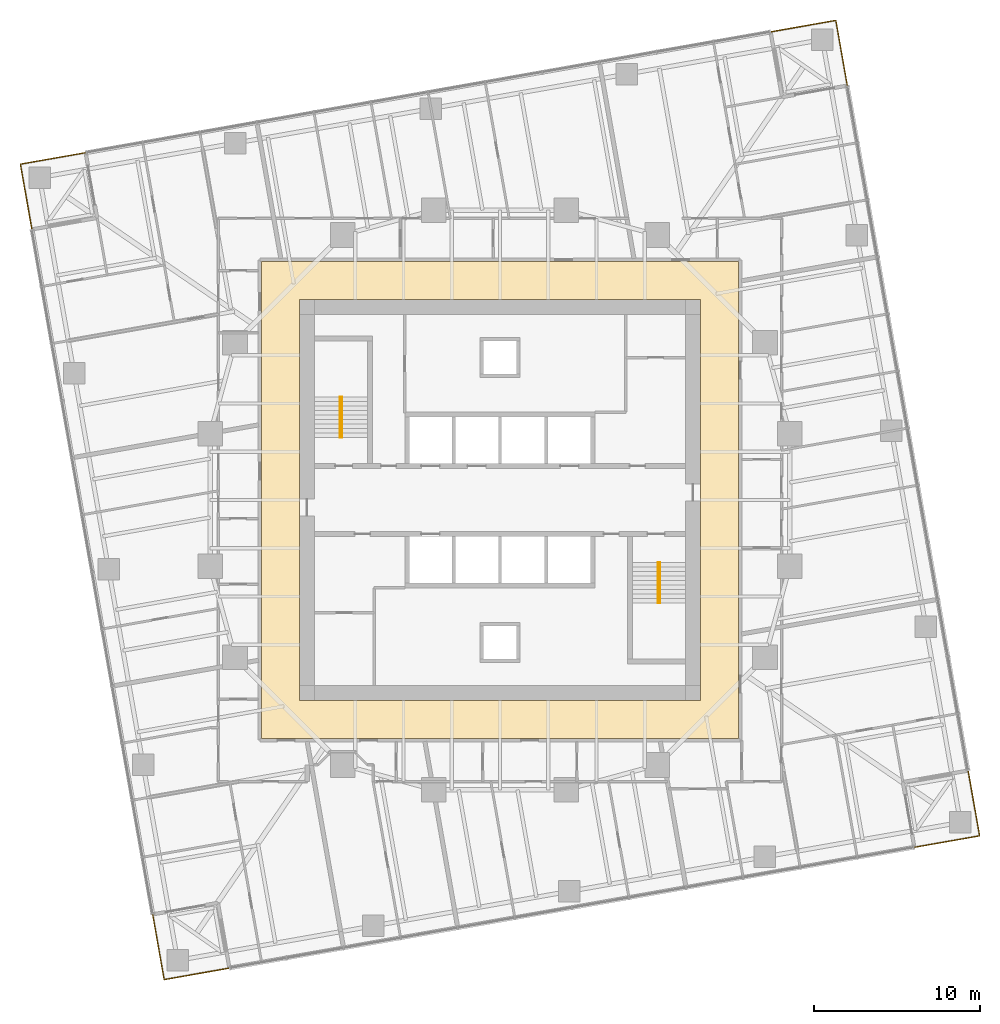
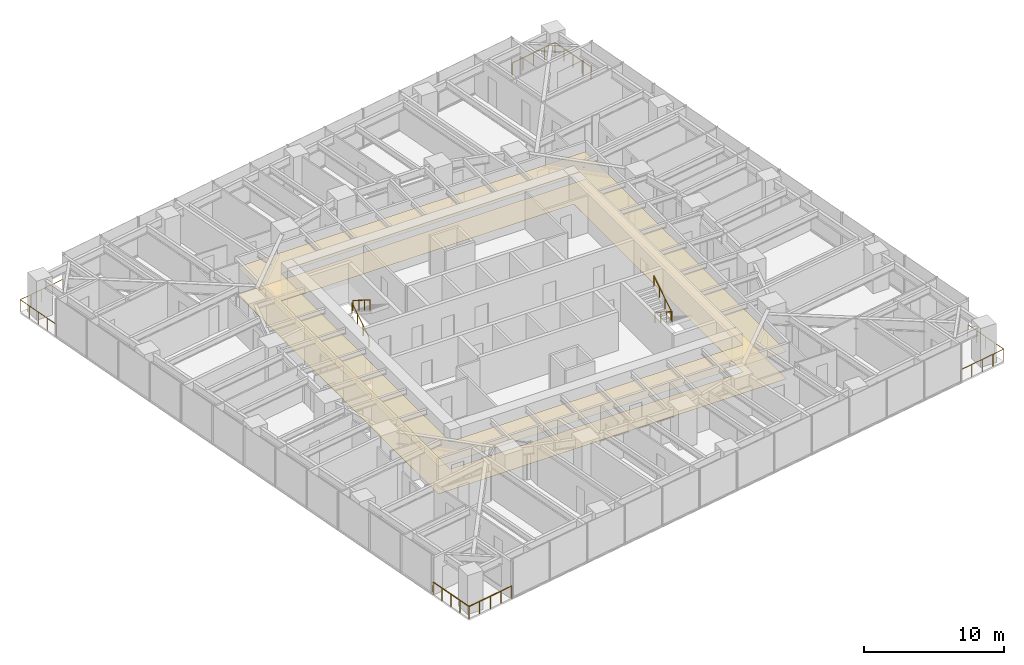
# One storey, part 14 of 14: 8 railings, 2 coverings, 2 elements without a shape of their own.
"""IFC4 building model written with IfcOpenShell, lengths in metres."""

from ifc_helpers import new_model, si_unit, direction, frame, origin, origin_2d, place, context, subcontext, project, spatial, polyline, circle, outline, extrude, material, layer, layer_set, type_object, element, aggregate, save


model = new_model("IFC4")

# Units and contexts
model_context = context("Model", 3, precision=1e-05, world=origin(), true_north=direction((0.0, 1.0)))
body_context = subcontext(model_context, "Body", "Model", "MODEL_VIEW")
ifc_project = project(units=[si_unit("LENGTHUNIT", "METRE"), si_unit("AREAUNIT", "SQUARE_METRE"), si_unit("VOLUMEUNIT", "CUBIC_METRE"), si_unit("PLANEANGLEUNIT", "RADIAN"), si_unit("MASSUNIT", "GRAM", prefix="KILO")], contexts=[model_context])

# Site, building, storey
site_placement = place(None, origin())
site = spatial("IfcSite", under=ifc_project, at=site_placement, CompositionType="ELEMENT")
building_placement = place(site_placement, origin())
building = spatial("IfcBuilding", under=site, at=building_placement, Name="Torsade Residences", CompositionType="ELEMENT")
storey_placement = place(building_placement, frame((0.0, 0.0, 82.800048828125)))
storey = spatial("IfcBuildingStorey", under=building, at=storey_placement, Name="L22", CompositionType="ELEMENT", Elevation=82.800048828125)

# Coverings
ifc_material_1 = material(Name="Nylon carpet tile on underlay", Category="textile")
ifc_layer_1 = layer(ifc_material_1, 0.010009765625)
ifc_layer_set_1 = layer_set([ifc_layer_1], Name="Nylon carpet tile on underlay")
covering_type_1 = type_object("IfcCoveringType", Name="CORRIDOR CARPET TILE 10", PredefinedType="FLOORING", material=ifc_layer_set_1)
covering_1_placement = place(storey_placement, origin())
element("IfcCovering", 1, at=covering_1_placement, inside=storey, type_object=covering_type_1, Name="Corridor carpet L22", PredefinedType="FLOORING", context=body_context, shape_type="SweptSolid", body=[
    extrude(outline(polyline([(54.39990234375, 15.60009765625), (54.39990234375, 44.39990234375), (25.60009765625, 44.39990234375), (25.60009765625, 15.60009765625), (54.39990234375, 15.60009765625)]), holes=[polyline([(52.10009765625, 42.10009765625), (27.89990234375, 42.10009765625), (27.89990234375, 17.89990234375), (52.10009765625, 17.89990234375), (52.10009765625, 42.10009765625)])]), origin(), (0.0, 0.0, 1.0), 0.010009765625),
])
ifc_material_2 = material(Name="Plasterboard on suspended steel grid", Category="steel")
ifc_layer_2 = layer(ifc_material_2, 0.012939453125)
ifc_layer_set_2 = layer_set([ifc_layer_2], Name="Plasterboard on suspended steel grid")
covering_type_2 = type_object("IfcCoveringType", Name="CORRIDOR SUSPENDED CEILING 13", PredefinedType="CEILING", material=ifc_layer_set_2)
covering_2_placement = place(storey_placement, frame((0.0, 0.0, 2.39990234375)))
element("IfcCovering", 2, at=covering_2_placement, inside=storey, type_object=covering_type_2, Name="Corridor ceiling L22", PredefinedType="CEILING", context=body_context, shape_type="SweptSolid", body=[
    extrude(outline(polyline([(54.39990234375, 15.60009765625), (54.39990234375, 44.39990234375), (25.60009765625, 44.39990234375), (25.60009765625, 15.60009765625), (54.39990234375, 15.60009765625)]), holes=[polyline([(52.10009765625, 42.10009765625), (27.89990234375, 42.10009765625), (27.89990234375, 17.89990234375), (52.10009765625, 17.89990234375), (52.10009765625, 42.10009765625)])]), origin(), (0.0, 0.0, 1.0), 0.012939453125),
])

# Stair, railings
ifc_material_3 = material(Name="Precast concrete 40 MPa", Category="concrete")
stair_type = type_object("IfcStairType", Name="HALF-TURN FIRE STAIR 1500x3400", PredefinedType="HALF_TURN_STAIR", material=ifc_material_3)
stair_1_placement = place(storey_placement, origin())
stair_1 = element("IfcStair", 3, at=stair_1_placement, inside=storey, type_object=stair_type, Name="Stair ST1 L22", PredefinedType="HALF_TURN_STAIR")
ifc_material_4 = material(Name="Steel handrail", Category="steel")
railing_type_1 = type_object("IfcRailingType", Name="STAIR HANDRAIL 900", PredefinedType="HANDRAIL", material=ifc_material_4)
railing_1_placement = place(storey_placement, frame((30.35009765625, 33.780029296875, 0.169921875)))
railing_1 = element("IfcRailing", 4, at=railing_1_placement, type_object=railing_type_1, Name="Handrail ST1 flight 1 L22", PredefinedType="HANDRAIL", context=body_context, shape_type="SweptSolid", body=[
    extrude(circle(Radius=0.02392578125, at=origin_2d()), frame((0.0, 0.0, 0.8759765625), z_axis=(0.0, 0.846221481393, 0.532831309544), x_axis=(-1.0, 0.0, 0.0)), (0.0, 0.0, 1.0), 2.87158203125),
    extrude(circle(Radius=0.02099609375, at=origin_2d()), origin(), (0.0, 0.0, 1.0), 0.851806640625),
    extrude(circle(Radius=0.02099609375, at=origin_2d()), frame((0.0, 0.81005859375, 0.510009765625)), (0.0, 0.0, 1.0), 0.851806640625),
    extrude(circle(Radius=0.02099609375, at=origin_2d()), frame((0.0, 1.619873046875, 1.02001953125)), (0.0, 0.0, 1.0), 0.851806640625),
    extrude(circle(Radius=0.02099609375, at=origin_2d()), frame((0.0, 2.429931640625, 1.530029296875)), (0.0, 0.0, 1.0), 0.851806640625),
])
railing_2_placement = place(storey_placement, frame((30.449951171875, 36.2099609375, 1.869873046875)))
railing_2 = element("IfcRailing", 5, at=railing_2_placement, type_object=railing_type_1, Name="Handrail ST1 flight 2 L22", PredefinedType="HANDRAIL", context=body_context, shape_type="SweptSolid", body=[
    extrude(circle(Radius=0.02392578125, at=origin_2d()), frame((0.0, 0.0, 0.8759765625), z_axis=(0.0, -0.846221481393, 0.532831309544), x_axis=(1.0, 0.0, 0.0)), (0.0, 0.0, 1.0), 2.87158203125),
    extrude(circle(Radius=0.02099609375, at=origin_2d()), origin(), (0.0, 0.0, 1.0), 0.851806640625),
    extrude(circle(Radius=0.02099609375, at=origin_2d()), frame((0.0, -0.81005859375, 0.510009765625)), (0.0, 0.0, 1.0), 0.851806640625),
    extrude(circle(Radius=0.02099609375, at=origin_2d()), frame((0.0, -1.619873046875, 1.02001953125)), (0.0, 0.0, 1.0), 0.851806640625),
    extrude(circle(Radius=0.02099609375, at=origin_2d()), frame((0.0, -2.429931640625, 1.530029296875)), (0.0, 0.0, 1.0), 0.851806640625),
])
aggregate(stair_1, [railing_1, railing_2])

stair_2_placement = place(storey_placement, origin())
stair_2 = element("IfcStair", 6, at=stair_2_placement, inside=storey, type_object=stair_type, Name="Stair ST2 L22", PredefinedType="HALF_TURN_STAIR")
railing_3_placement = place(storey_placement, frame((49.64990234375, 26.219970703125, 0.169921875)))
railing_3 = element("IfcRailing", 7, at=railing_3_placement, type_object=railing_type_1, Name="Handrail ST2 flight 1 L22", PredefinedType="HANDRAIL", context=body_context, shape_type="SweptSolid", body=[
    extrude(circle(Radius=0.02392578125, at=origin_2d()), frame((0.0, 0.0, 0.8759765625), z_axis=(0.0, -0.846221481393, 0.532831309544), x_axis=(1.0, 0.0, 0.0)), (0.0, 0.0, 1.0), 2.87158203125),
    extrude(circle(Radius=0.02099609375, at=origin_2d()), origin(), (0.0, 0.0, 1.0), 0.851806640625),
    extrude(circle(Radius=0.02099609375, at=origin_2d()), frame((0.0, -0.81005859375, 0.510009765625)), (0.0, 0.0, 1.0), 0.851806640625),
    extrude(circle(Radius=0.02099609375, at=origin_2d()), frame((0.0, -1.619873046875, 1.02001953125)), (0.0, 0.0, 1.0), 0.851806640625),
    extrude(circle(Radius=0.02099609375, at=origin_2d()), frame((0.0, -2.429931640625, 1.530029296875)), (0.0, 0.0, 1.0), 0.851806640625),
])
railing_4_placement = place(storey_placement, frame((49.550048828125, 23.7900390625, 1.869873046875)))
railing_4 = element("IfcRailing", 8, at=railing_4_placement, type_object=railing_type_1, Name="Handrail ST2 flight 2 L22", PredefinedType="HANDRAIL", context=body_context, shape_type="SweptSolid", body=[
    extrude(circle(Radius=0.02392578125, at=origin_2d()), frame((0.0, 0.0, 0.8759765625), z_axis=(0.0, 0.846221481393, 0.532831309544), x_axis=(-1.0, 0.0, 0.0)), (0.0, 0.0, 1.0), 2.87158203125),
    extrude(circle(Radius=0.02099609375, at=origin_2d()), origin(), (0.0, 0.0, 1.0), 0.851806640625),
    extrude(circle(Radius=0.02099609375, at=origin_2d()), frame((0.0, 0.81005859375, 0.510009765625)), (0.0, 0.0, 1.0), 0.851806640625),
    extrude(circle(Radius=0.02099609375, at=origin_2d()), frame((0.0, 1.619873046875, 1.02001953125)), (0.0, 0.0, 1.0), 0.851806640625),
    extrude(circle(Radius=0.02099609375, at=origin_2d()), frame((0.0, 2.429931640625, 1.530029296875)), (0.0, 0.0, 1.0), 0.851806640625),
])
aggregate(stair_2, [railing_3, railing_4])

# Railings
ifc_material_5 = material(Name="Laminated glass balustrade", Category="glass")
railing_type_2 = type_object("IfcRailingType", Name="TERRACE GLASS BALUSTRADE 1100", PredefinedType="BALUSTRADE", material=ifc_material_5)
railing_5_placement = place(storey_placement, frame((65.022216796875, 9.0263671875, 0.0)))
element("IfcRailing", 9, at=railing_5_placement, inside=storey, type_object=railing_type_2, Name="Terrace balustrade SE L22", PredefinedType="BALUSTRADE", context=body_context, shape_type="SweptSolid", body=[
    extrude(circle(Radius=0.02392578125, at=origin_2d()), frame((0.0, 0.0, 1.076171875), z_axis=(0.984808127031, 0.173646056486, 0.0), x_axis=(-0.173646056486, 0.984808127031, 0.0)), (0.0, 0.0, 1.0), 4.0),
    extrude(circle(Radius=0.02392578125, at=origin_2d()), frame((3.939208984375, 0.694580078125, 1.076171875), z_axis=(-0.173646056486, 0.984808127031, 0.0), x_axis=(-0.984808127031, -0.173646056486, 0.0)), (0.0, 0.0, 1.0), 4.0),
    extrude(circle(Radius=0.02099609375, at=origin_2d()), origin(), (0.0, 0.0, 1.0), 1.052001953125),
    extrude(circle(Radius=0.02099609375, at=origin_2d()), frame((0.98486328125, 0.173583984375, 0.0)), (0.0, 0.0, 1.0), 1.052001953125),
    extrude(circle(Radius=0.02099609375, at=origin_2d()), frame((1.9697265625, 0.34716796875, 0.0)), (0.0, 0.0, 1.0), 1.052001953125),
    extrude(circle(Radius=0.02099609375, at=origin_2d()), frame((2.954345703125, 0.52099609375, 0.0)), (0.0, 0.0, 1.0), 1.052001953125),
    extrude(circle(Radius=0.02099609375, at=origin_2d()), frame((3.939208984375, 0.694580078125, 0.0)), (0.0, 0.0, 1.0), 1.052001953125),
    extrude(circle(Radius=0.02099609375, at=origin_2d()), frame((3.765625, 1.679443359375, 0.0)), (0.0, 0.0, 1.0), 1.052001953125),
    extrude(circle(Radius=0.02099609375, at=origin_2d()), frame((3.591796875, 2.6640625, 0.0)), (0.0, 0.0, 1.0), 1.052001953125),
    extrude(circle(Radius=0.02099609375, at=origin_2d()), frame((3.418212890625, 3.64892578125, 0.0)), (0.0, 0.0, 1.0), 1.052001953125),
    extrude(circle(Radius=0.02099609375, at=origin_2d()), frame((3.24462890625, 4.6337890625, 0.0)), (0.0, 0.0, 1.0), 1.052001953125),
])
railing_6_placement = place(storey_placement, frame((60.9736328125, 55.022216796875, 0.0)))
element("IfcRailing", 10, at=railing_6_placement, inside=storey, type_object=railing_type_2, Name="Terrace balustrade NE L22", PredefinedType="BALUSTRADE", context=body_context, shape_type="SweptSolid", body=[
    extrude(circle(Radius=0.02392578125, at=origin_2d()), frame((0.0, 0.0, 1.076171875), z_axis=(-0.173646056486, 0.984808127031, 0.0), x_axis=(-0.984808127031, -0.173646056486, 0.0)), (0.0, 0.0, 1.0), 4.0),
    extrude(circle(Radius=0.02392578125, at=origin_2d()), frame((-0.694580078125, 3.939208984375, 1.076171875), z_axis=(-0.984808127031, -0.173646056486, 0.0), x_axis=(0.173646056486, -0.984808127031, 0.0)), (0.0, 0.0, 1.0), 4.0),
    extrude(circle(Radius=0.02099609375, at=origin_2d()), origin(), (0.0, 0.0, 1.0), 1.052001953125),
    extrude(circle(Radius=0.02099609375, at=origin_2d()), frame((-0.173583984375, 0.98486328125, 0.0)), (0.0, 0.0, 1.0), 1.052001953125),
    extrude(circle(Radius=0.02099609375, at=origin_2d()), frame((-0.34716796875, 1.9697265625, 0.0)), (0.0, 0.0, 1.0), 1.052001953125),
    extrude(circle(Radius=0.02099609375, at=origin_2d()), frame((-0.52099609375, 2.954345703125, 0.0)), (0.0, 0.0, 1.0), 1.052001953125),
    extrude(circle(Radius=0.02099609375, at=origin_2d()), frame((-0.694580078125, 3.939208984375, 0.0)), (0.0, 0.0, 1.0), 1.052001953125),
    extrude(circle(Radius=0.02099609375, at=origin_2d()), frame((-1.679443359375, 3.765625, 0.0)), (0.0, 0.0, 1.0), 1.052001953125),
    extrude(circle(Radius=0.02099609375, at=origin_2d()), frame((-2.6640625, 3.591796875, 0.0)), (0.0, 0.0, 1.0), 1.052001953125),
    extrude(circle(Radius=0.02099609375, at=origin_2d()), frame((-3.64892578125, 3.418212890625, 0.0)), (0.0, 0.0, 1.0), 1.052001953125),
    extrude(circle(Radius=0.02099609375, at=origin_2d()), frame((-4.6337890625, 3.24462890625, 0.0)), (0.0, 0.0, 1.0), 1.052001953125),
])
railing_7_placement = place(storey_placement, frame((14.977783203125, 50.9736328125, 0.0)))
element("IfcRailing", 11, at=railing_7_placement, inside=storey, type_object=railing_type_2, Name="Terrace balustrade NW L22", PredefinedType="BALUSTRADE", context=body_context, shape_type="SweptSolid", body=[
    extrude(circle(Radius=0.02392578125, at=origin_2d()), frame((0.0, 0.0, 1.076171875), z_axis=(-0.984808127031, -0.173646056486, 0.0), x_axis=(0.173646056486, -0.984808127031, 0.0)), (0.0, 0.0, 1.0), 4.0),
    extrude(circle(Radius=0.02392578125, at=origin_2d()), frame((-3.939208984375, -0.694580078125, 1.076171875), z_axis=(0.173646056486, -0.984808127031, 0.0), x_axis=(0.984808127031, 0.173646056486, 0.0)), (0.0, 0.0, 1.0), 4.0),
    extrude(circle(Radius=0.02099609375, at=origin_2d()), origin(), (0.0, 0.0, 1.0), 1.052001953125),
    extrude(circle(Radius=0.02099609375, at=origin_2d()), frame((-0.98486328125, -0.173583984375, 0.0)), (0.0, 0.0, 1.0), 1.052001953125),
    extrude(circle(Radius=0.02099609375, at=origin_2d()), frame((-1.9697265625, -0.34716796875, 0.0)), (0.0, 0.0, 1.0), 1.052001953125),
    extrude(circle(Radius=0.02099609375, at=origin_2d()), frame((-2.954345703125, -0.52099609375, 0.0)), (0.0, 0.0, 1.0), 1.052001953125),
    extrude(circle(Radius=0.02099609375, at=origin_2d()), frame((-3.939208984375, -0.694580078125, 0.0)), (0.0, 0.0, 1.0), 1.052001953125),
    extrude(circle(Radius=0.02099609375, at=origin_2d()), frame((-3.765625, -1.679443359375, 0.0)), (0.0, 0.0, 1.0), 1.052001953125),
    extrude(circle(Radius=0.02099609375, at=origin_2d()), frame((-3.591796875, -2.6640625, 0.0)), (0.0, 0.0, 1.0), 1.052001953125),
    extrude(circle(Radius=0.02099609375, at=origin_2d()), frame((-3.418212890625, -3.64892578125, 0.0)), (0.0, 0.0, 1.0), 1.052001953125),
    extrude(circle(Radius=0.02099609375, at=origin_2d()), frame((-3.24462890625, -4.6337890625, 0.0)), (0.0, 0.0, 1.0), 1.052001953125),
])
railing_8_placement = place(storey_placement, frame((19.0263671875, 4.977783203125, 0.0)))
element("IfcRailing", 12, at=railing_8_placement, inside=storey, type_object=railing_type_2, Name="Terrace balustrade SW L22", PredefinedType="BALUSTRADE", context=body_context, shape_type="SweptSolid", body=[
    extrude(circle(Radius=0.02392578125, at=origin_2d()), frame((0.0, 0.0, 1.076171875), z_axis=(0.173646056486, -0.984808127031, 0.0), x_axis=(0.984808127031, 0.173646056486, 0.0)), (0.0, 0.0, 1.0), 4.0),
    extrude(circle(Radius=0.02392578125, at=origin_2d()), frame((0.694580078125, -3.939208984375, 1.076171875), z_axis=(0.984808127031, 0.173646056486, 0.0), x_axis=(-0.173646056486, 0.984808127031, 0.0)), (0.0, 0.0, 1.0), 4.0),
    extrude(circle(Radius=0.02099609375, at=origin_2d()), origin(), (0.0, 0.0, 1.0), 1.052001953125),
    extrude(circle(Radius=0.02099609375, at=origin_2d()), frame((0.173583984375, -0.98486328125, 0.0)), (0.0, 0.0, 1.0), 1.052001953125),
    extrude(circle(Radius=0.02099609375, at=origin_2d()), frame((0.34716796875, -1.9697265625, 0.0)), (0.0, 0.0, 1.0), 1.052001953125),
    extrude(circle(Radius=0.02099609375, at=origin_2d()), frame((0.52099609375, -2.954345703125, 0.0)), (0.0, 0.0, 1.0), 1.052001953125),
    extrude(circle(Radius=0.02099609375, at=origin_2d()), frame((0.694580078125, -3.939208984375, 0.0)), (0.0, 0.0, 1.0), 1.052001953125),
    extrude(circle(Radius=0.02099609375, at=origin_2d()), frame((1.679443359375, -3.765625, 0.0)), (0.0, 0.0, 1.0), 1.052001953125),
    extrude(circle(Radius=0.02099609375, at=origin_2d()), frame((2.6640625, -3.591796875, 0.0)), (0.0, 0.0, 1.0), 1.052001953125),
    extrude(circle(Radius=0.02099609375, at=origin_2d()), frame((3.64892578125, -3.418212890625, 0.0)), (0.0, 0.0, 1.0), 1.052001953125),
    extrude(circle(Radius=0.02099609375, at=origin_2d()), frame((4.6337890625, -3.24462890625, 0.0)), (0.0, 0.0, 1.0), 1.052001953125),
])

save(model, "model.ifc")
